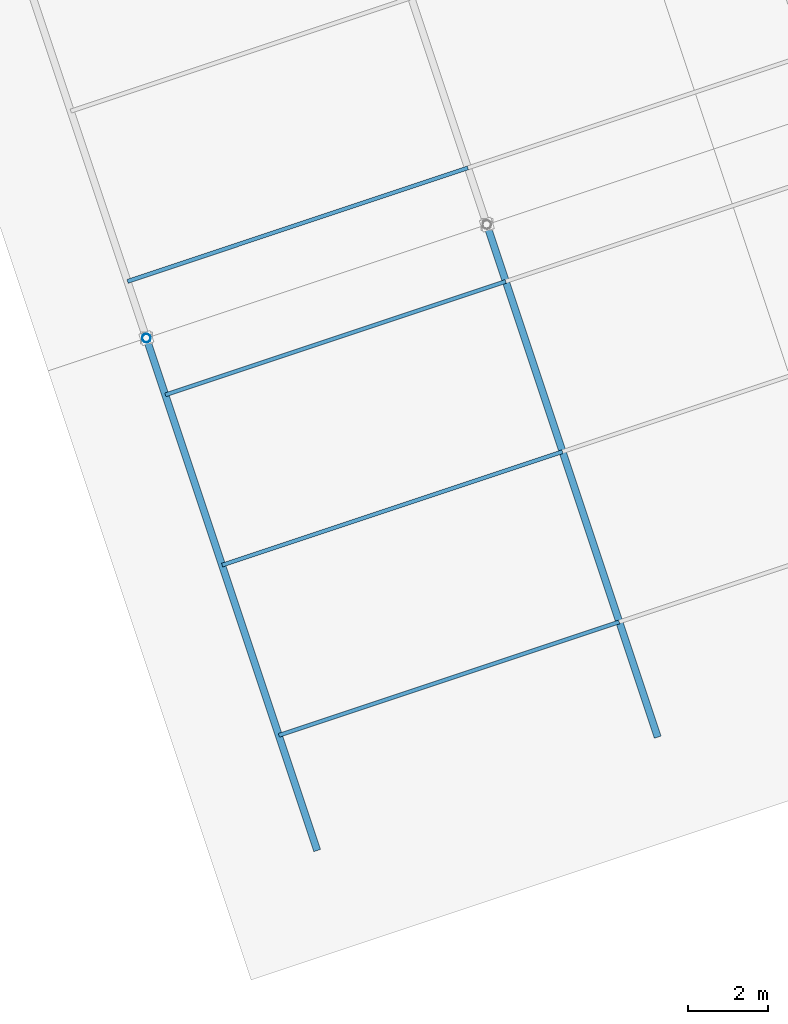
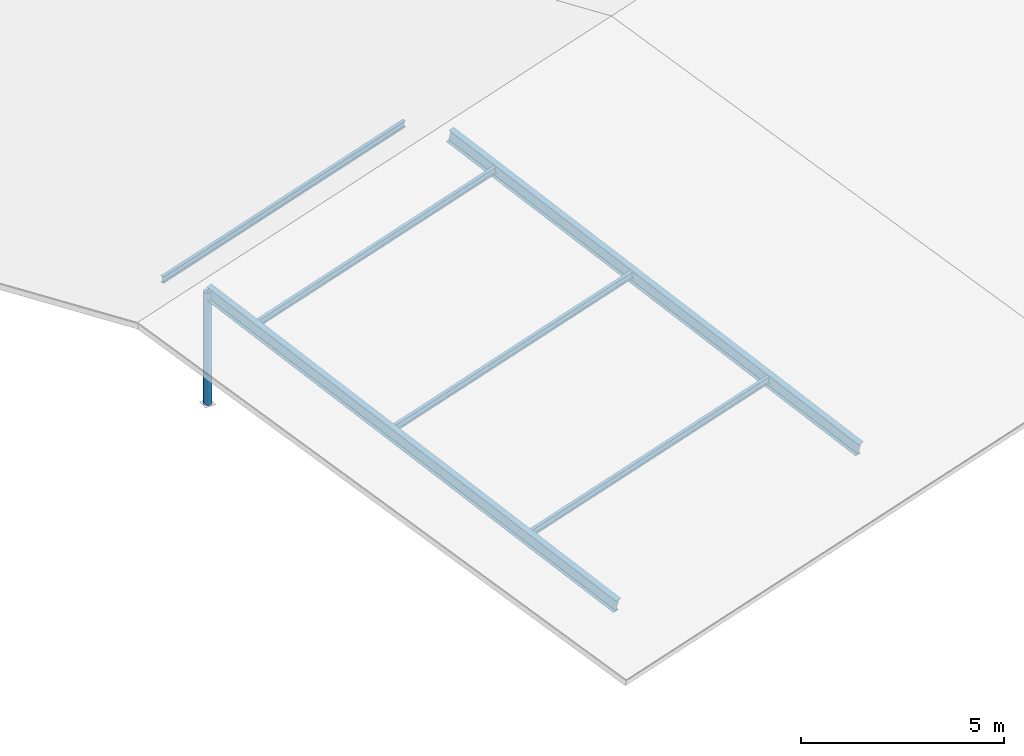
# One storey, part 24 of 107: 7 members.
"""IFC4 building model written with IfcOpenShell, lengths in metres."""

from ifc_helpers import new_model, si_unit, derived_unit, direction, frame, origin, origin_2d, place, context, subcontext, project, spatial, hollow_circle, i_section, extrude, material, material_profile, profile_set, type_object, element, save


model = new_model("IFC4")

# Units and contexts
model_context = context("Model", 3, precision=1e-05, world=origin(), true_north=direction((0.0, 1.0)))
body_context = subcontext(model_context, "Body", "Model", "MODEL_VIEW")
ifc_project = project(units=[si_unit("LENGTHUNIT", "METRE"), si_unit("AREAUNIT", "SQUARE_METRE"), si_unit("VOLUMEUNIT", "CUBIC_METRE"), si_unit("PLANEANGLEUNIT", "RADIAN"), si_unit("MASSUNIT", "GRAM", prefix="KILO"), si_unit("THERMODYNAMICTEMPERATUREUNIT", "KELVIN"), si_unit("TIMEUNIT", "SECOND"), derived_unit("THERMALTRANSMITTANCEUNIT", [(si_unit("MASSUNIT", "GRAM", prefix="KILO"), 1), (si_unit("THERMODYNAMICTEMPERATUREUNIT", "KELVIN"), -1), (si_unit("TIMEUNIT", "SECOND"), -3)])], contexts=[model_context])

# Site, building, storey
site_placement = place(None, origin())
site = spatial("IfcSite", under=ifc_project, at=site_placement, CompositionType="ELEMENT")
building_placement = place(site_placement, origin())
building = spatial("IfcBuilding", under=site, at=building_placement, Name="Cambertide Market Hall", CompositionType="ELEMENT")
storey_placement = place(building_placement, frame((0.0, 0.0, 18.300048828125)))
storey = spatial("IfcBuildingStorey", under=building, at=storey_placement, Name="RF", CompositionType="ELEMENT", Elevation=18.300048828125)

# Members
ifc_material_1 = material(Name="Steel S355", Category="steel")
ifc_material_profile_1 = material_profile(ifc_material_1, i_section(OverallWidth=0.179931640625, OverallDepth=0.39990234375, WebThickness=0.008544921875, FlangeThickness=0.013427734375, FilletRadius=0.02099609375, at=origin_2d()), Name="IPE 400")
ifc_profile_set_1 = profile_set([ifc_material_profile_1], Name="Steel S355")
member_type_1 = type_object("IfcMemberType", Name="Radial Fan Rafter IPE 400", PredefinedType="RAFTER", material=ifc_profile_set_1)
member_1_placement = place(storey_placement, frame((106.0, 12.0, -4.400146484375), z_axis=(-0.307722895313, 0.923168685938, 0.230361014505), x_axis=(-0.948683298051, -0.316227766017, 0.0)))
element("IfcMember", 1, at=member_1_placement, inside=storey, type_object=member_type_1, Name="RAF-V3S-1", PredefinedType="RAFTER", context=body_context, shape_type="SweptSolid", body=[
    extrude(i_section(OverallWidth=0.179931640625, OverallDepth=0.39990234375, WebThickness=0.008544921875, FlangeThickness=0.013427734375, FilletRadius=0.02099609375, at=origin_2d()), origin(), (0.0, 0.0, 1.0), 13.873046875),
])
member_2_placement = place(storey_placement, frame((114.5380859375, 14.845947265625, -4.400146484375), z_axis=(-0.307717896075, 0.923171286184, 0.230357272082), x_axis=(-0.948685106467, -0.316222340717, 0.0)))
element("IfcMember", 2, at=member_2_placement, inside=storey, type_object=member_type_1, Name="RAF-V3S-2", PredefinedType="RAFTER", context=body_context, shape_type="SweptSolid", body=[
    extrude(i_section(OverallWidth=0.179931640625, OverallDepth=0.39990234375, WebThickness=0.008544921875, FlangeThickness=0.013427734375, FilletRadius=0.02099609375, at=origin_2d()), origin(), (0.0, 0.0, 1.0), 13.873291015625),
])
ifc_material_2 = material(Name="Steel S275", Category="steel")
ifc_material_profile_2 = material_profile(ifc_material_2, i_section(OverallWidth=0.10009765625, OverallDepth=0.199951171875, WebThickness=0.005615234375, FlangeThickness=0.008544921875, FilletRadius=0.011962890625, at=origin_2d()), Name="IPE 200")
ifc_profile_set_2 = profile_set([ifc_material_profile_2], Name="Steel S275")
member_type_2 = type_object("IfcMemberType", Name="Roof Purlin IPE 200", PredefinedType="PURLIN", material=ifc_profile_set_2)
member_3_placement = place(storey_placement, frame((105.05126953125, 14.845947265625, -3.68994140625), z_axis=(0.948677872554, 0.31624404204, 0.0), x_axis=(-0.31624404204, 0.948677872554, 0.0)))
element("IfcMember", 3, at=member_3_placement, inside=storey, type_object=member_type_2, Name="PUR-V3-1-3", PredefinedType="PURLIN", context=body_context, shape_type="SweptSolid", body=[
    extrude(i_section(OverallWidth=0.10009765625, OverallDepth=0.199951171875, WebThickness=0.005615234375, FlangeThickness=0.008544921875, FilletRadius=0.011962890625, at=origin_2d()), origin(), (0.0, 0.0, 1.0), 9.0),
])
member_4_placement = place(storey_placement, frame((103.628173828125, 19.115234375, -2.624755859375), z_axis=(0.948688723175, 0.316211490179, 0.0), x_axis=(-0.316211490179, 0.948688723175, 0.0)))
element("IfcMember", 4, at=member_4_placement, inside=storey, type_object=member_type_2, Name="PUR-V3-1-7", PredefinedType="PURLIN", context=body_context, shape_type="SweptSolid", body=[
    extrude(i_section(OverallWidth=0.10009765625, OverallDepth=0.199951171875, WebThickness=0.005615234375, FlangeThickness=0.008544921875, FilletRadius=0.011962890625, at=origin_2d()), origin(), (0.0, 0.0, 1.0), 9.000244140625),
])
for number, where, z_axis, x_axis, name in (
    (5, (102.205322265625, 23.38427734375, -1.5595703125), (0.948686010717, 0.3162196279, 0.0), (-0.3162196279, 0.948686010717, 0.0), "PUR-V3-1-12"),
    (6, (101.256591796875, 26.230224609375, -1.5595703125), (0.948677872554, 0.31624404204, 0.0), (-0.31624404204, 0.948677872554, 0.0), "PUR-V3-1-15"),
):
    element("IfcMember", number, at=place(storey_placement, frame(where, z_axis=z_axis, x_axis=x_axis)), inside=storey, type_object=member_type_2, Name=name, PredefinedType="PURLIN", context=body_context, shape_type="SweptSolid", body=[
        extrude(i_section(OverallWidth=0.10009765625, OverallDepth=0.199951171875, WebThickness=0.005615234375, FlangeThickness=0.008544921875, FilletRadius=0.011962890625, at=origin_2d()), origin(), (0.0, 0.0, 1.0), 9.0),
    ])
ifc_material_3 = material(Name="Steel S355", Category="steel")
ifc_material_profile_3 = material_profile(ifc_material_3, hollow_circle(Radius=0.109619140625, WallThickness=0.008056640625, at=origin_2d()), Name="CHS 219.1x8")
ifc_profile_set_3 = profile_set([ifc_material_profile_3], Name="Steel S355")
member_type_3 = type_object("IfcMemberType", Name="Structural Brace CHS 219.1x8", PredefinedType="BRACE", material=ifc_profile_set_3)
member_5_placement = place(storey_placement, frame((101.73095703125, 24.80712890625, -4.580078125), z_axis=(0.0, 0.0, 1.0), x_axis=(1.0, 0.0, 0.0)))
element("IfcMember", 7, at=member_5_placement, inside=storey, type_object=member_type_3, Name="KP-V3-1", PredefinedType="BRACE", context=body_context, shape_type="SweptSolid", body=[
    extrude(hollow_circle(Radius=0.109619140625, WallThickness=0.008056640625, at=origin_2d()), origin(), (0.0, 0.0, 1.0), 3.375732421875),
])

save(model, "model.ifc")
